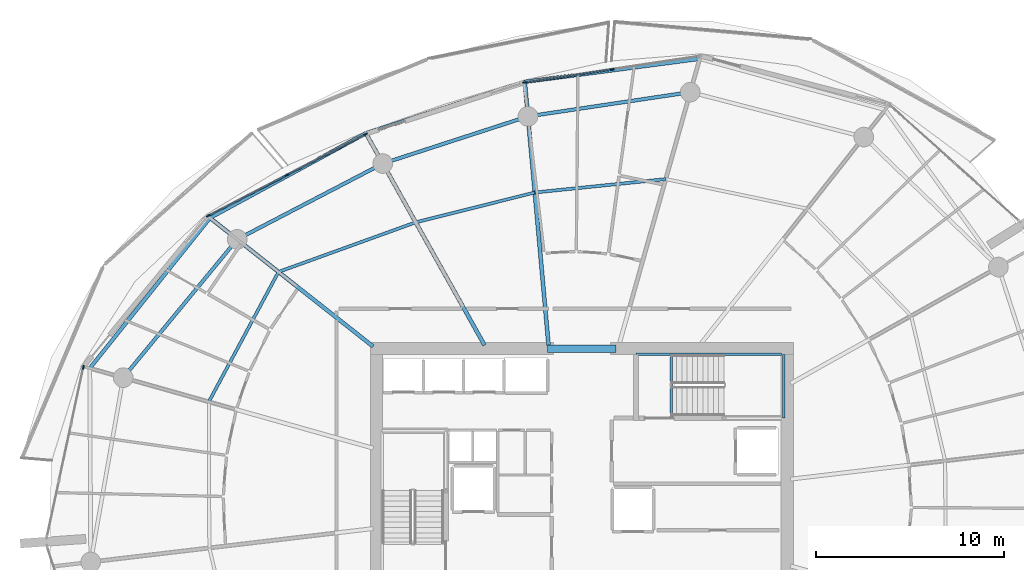
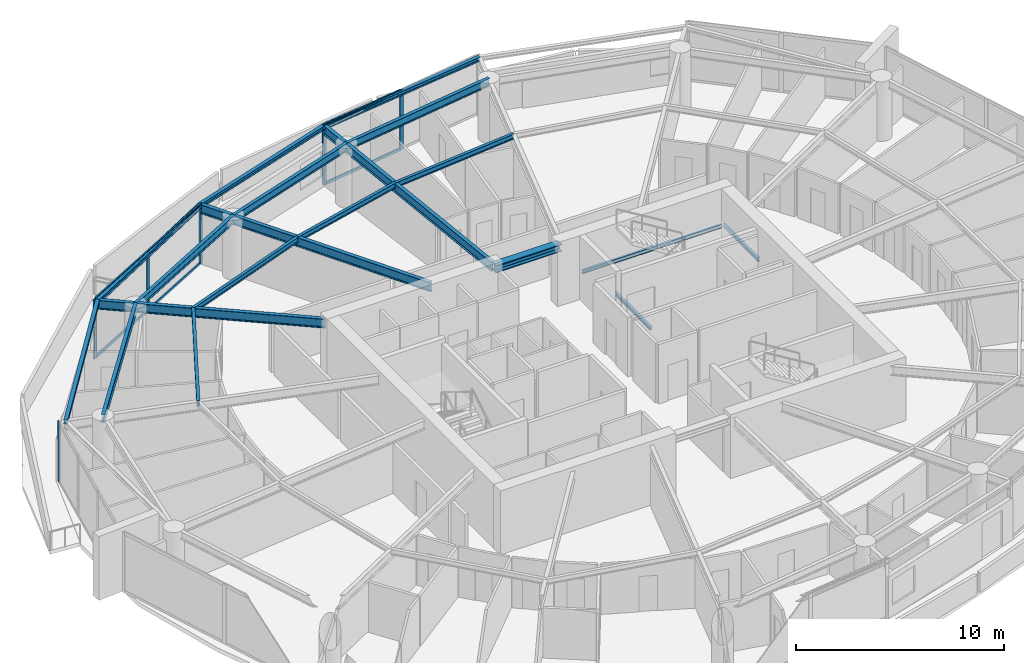
# One storey, part 8 of 21: 19 beams, 12 members, 3 elements without a shape of their own.
"""IFC4 building model written with IfcOpenShell, lengths in metres."""

from ifc_helpers import new_model, si_unit, direction, frame, origin, origin_2d, place, context, subcontext, project, spatial, rectangle, i_section, extrude, material, layer, layer_set, material_profile, profile_set, type_object, element, aggregate, save


model = new_model("IFC4")

# Units and contexts
model_context = context("Model", 3, precision=1e-05, world=origin(), true_north=direction((0.0, 1.0)))
body_context = subcontext(model_context, "Body", "Model", "MODEL_VIEW")
ifc_project = project(units=[si_unit("LENGTHUNIT", "METRE"), si_unit("AREAUNIT", "SQUARE_METRE"), si_unit("VOLUMEUNIT", "CUBIC_METRE"), si_unit("PLANEANGLEUNIT", "RADIAN"), si_unit("MASSUNIT", "GRAM", prefix="KILO")], contexts=[model_context])

# Site, building, storey
site_placement = place(None, origin())
site = spatial("IfcSite", under=ifc_project, at=site_placement, CompositionType="ELEMENT")
building_placement = place(site_placement, origin())
building = spatial("IfcBuilding", under=site, at=building_placement, Name="Kazma Halo Residences", CompositionType="ELEMENT")
storey_placement = place(building_placement, frame((0.0, 0.0, 180.300048828125)))
storey = spatial("IfcBuildingStorey", under=building, at=storey_placement, Name="L45", CompositionType="ELEMENT", Elevation=180.300048828125)

# Beams
ifc_material_1 = material(Name="Steel S355", Category="steel")
ifc_material_profile_1 = material_profile(ifc_material_1, i_section(OverallWidth=0.201904296875, OverallDepth=0.2470703125, WebThickness=0.00732421875, FlangeThickness=0.010986328125, FilletRadius=0.011962890625, at=origin_2d()), Name="W250x49.1")
ifc_profile_set_1 = profile_set([ifc_material_profile_1], Name="Steel S355")
beam_type_1 = type_object("IfcBeamType", Name="BM-BAL-CANT", PredefinedType="BEAM", material=ifc_profile_set_1)
beam_1_placement = place(storey_placement, frame((54.70458984375, 65.772216796875, 3.37646484375), z_axis=(-0.991401891123, -0.130852169558, 0.0), x_axis=(0.130852169558, -0.991401891123, 0.0)))
element("IfcBeam", 1, at=beam_1_placement, inside=storey, type_object=beam_type_1, Name="L45 wave-balcony tie beam 03", PredefinedType="BEAM", context=body_context, shape_type="SweptSolid", body=[
    extrude(i_section(OverallWidth=0.201904296875, OverallDepth=0.2470703125, WebThickness=0.00732421875, FlangeThickness=0.010986328125, FilletRadius=0.011962890625, at=origin_2d()), origin(), (0.0, 0.0, 1.0), 9.401611328125),
])
beam_2_placement = place(storey_placement, frame((45.3837890625, 64.5419921875, 3.37646484375), z_axis=(-0.951434599458, -0.307850942753, 0.0), x_axis=(0.307850942753, -0.951434599458, 0.0)))
element("IfcBeam", 2, at=beam_2_placement, inside=storey, type_object=beam_type_1, Name="L45 wave-balcony tie beam 04", PredefinedType="BEAM", context=body_context, shape_type="SweptSolid", body=[
    extrude(i_section(OverallWidth=0.201904296875, OverallDepth=0.2470703125, WebThickness=0.00732421875, FlangeThickness=0.010986328125, FilletRadius=0.011962890625, at=origin_2d()), origin(), (0.0, 0.0, 1.0), 8.905029296875),
])
beam_3_placement = place(storey_placement, frame((36.9111328125, 61.800537109375, 3.37646484375), z_axis=(-0.878890557257, -0.477023467309, 0.0), x_axis=(0.477023467309, -0.878890557257, 0.0)))
element("IfcBeam", 3, at=beam_3_placement, inside=storey, type_object=beam_type_1, Name="L45 wave-balcony tie beam 05", PredefinedType="BEAM", context=body_context, shape_type="SweptSolid", body=[
    extrude(i_section(OverallWidth=0.201904296875, OverallDepth=0.2470703125, WebThickness=0.00732421875, FlangeThickness=0.010986328125, FilletRadius=0.011962890625, at=origin_2d()), origin(), (0.0, 0.0, 1.0), 9.452880859375),
])
beam_4_placement = place(storey_placement, frame((28.60302734375, 57.291259765625, 3.37646484375), z_axis=(-0.624195724924, -0.781268005864, 0.0), x_axis=(0.781268005864, -0.624195724924, 0.0)))
element("IfcBeam", 4, at=beam_4_placement, inside=storey, type_object=beam_type_1, Name="L45 wave-balcony tie beam 06", PredefinedType="BEAM", context=body_context, shape_type="SweptSolid", body=[
    extrude(i_section(OverallWidth=0.201904296875, OverallDepth=0.2470703125, WebThickness=0.00732421875, FlangeThickness=0.010986328125, FilletRadius=0.011962890625, at=origin_2d()), origin(), (0.0, 0.0, 1.0), 10.258544921875),
])
ifc_material_profile_2 = material_profile(ifc_material_1, i_section(OverallWidth=0.408935546875, OverallDepth=0.425048828125, WebThickness=0.03271484375, FlangeThickness=0.052490234375, FilletRadius=0.02001953125, at=origin_2d()), Name="W360x421")
ifc_profile_set_2 = profile_set([ifc_material_profile_2], Name="Steel S355")
beam_type_2 = type_object("IfcBeamType", Name="BM-CORE-W360H", PredefinedType="BEAM", material=ifc_profile_set_2)
beam_5_placement = place(storey_placement, frame((46.60009765625, 50.324951171875, 3.287353515625), z_axis=(1.0, 0.0, 0.0), x_axis=(0.0, 1.0, 0.0)))
element("IfcBeam", 5, at=beam_5_placement, inside=storey, type_object=beam_type_2, Name="L45 core coupling beam N", PredefinedType="BEAM", context=body_context, shape_type="SweptSolid", body=[
    extrude(i_section(OverallWidth=0.408935546875, OverallDepth=0.425048828125, WebThickness=0.03271484375, FlangeThickness=0.052490234375, FilletRadius=0.02001953125, at=origin_2d()), origin(), (0.0, 0.0, 1.0), 3.64990234375),
])
ifc_material_profile_3 = material_profile(ifc_material_1, i_section(OverallWidth=0.208984375, OverallDepth=0.532958984375, WebThickness=0.01025390625, FlangeThickness=0.015625, FilletRadius=0.01611328125, at=origin_2d()), Name="W530x92")
ifc_profile_set_3 = profile_set([ifc_material_profile_3], Name="Steel S355")
beam_type_3 = type_object("IfcBeamType", Name="BM-RAD-W530", PredefinedType="BEAM", material=ifc_profile_set_3)
beam_6_placement = place(storey_placement, frame((46.64990234375, 50.5, 3.2333984375), z_axis=(-0.089801911205, 0.995959646142, 0.0), x_axis=(-0.995959646142, -0.089801911205, 0.0)))
element("IfcBeam", 6, at=beam_6_placement, inside=storey, type_object=beam_type_3, Name="L45 radial floor beam 04", PredefinedType="BEAM", context=body_context, shape_type="SweptSolid", body=[
    extrude(i_section(OverallWidth=0.208984375, OverallDepth=0.532958984375, WebThickness=0.01025390625, FlangeThickness=0.015625, FilletRadius=0.01611328125, at=origin_2d()), origin(), (0.0, 0.0, 1.0), 14.098876953125),
])
beam_7_placement = place(storey_placement, frame((43.23974609375, 50.5, 3.2333984375), z_axis=(-0.488621736368, 0.872495729931, 0.0), x_axis=(-0.872495729931, -0.488621736368, 0.0)))
element("IfcBeam", 7, at=beam_7_placement, inside=storey, type_object=beam_type_3, Name="L45 radial floor beam 05", PredefinedType="BEAM", context=body_context, shape_type="SweptSolid", body=[
    extrude(i_section(OverallWidth=0.208984375, OverallDepth=0.532958984375, WebThickness=0.01025390625, FlangeThickness=0.015625, FilletRadius=0.01611328125, at=origin_2d()), origin(), (0.0, 0.0, 1.0), 12.951904296875),
])
beam_8_placement = place(storey_placement, frame((37.300048828125, 50.435302734375, 3.2333984375), z_axis=(-0.785326671572, 0.619081593102, 0.0), x_axis=(-0.619081593102, -0.785326671572, 0.0)))
element("IfcBeam", 8, at=beam_8_placement, inside=storey, type_object=beam_type_3, Name="L45 radial floor beam 06", PredefinedType="BEAM", context=body_context, shape_type="SweptSolid", body=[
    extrude(i_section(OverallWidth=0.208984375, OverallDepth=0.532958984375, WebThickness=0.01025390625, FlangeThickness=0.015625, FilletRadius=0.01611328125, at=origin_2d()), origin(), (0.0, 0.0, 1.0), 11.074462890625),
])
ifc_material_profile_4 = material_profile(ifc_material_1, i_section(OverallWidth=0.1650390625, OverallDepth=0.31005859375, WebThickness=0.005859375, FlangeThickness=0.009765625, FilletRadius=0.011962890625, at=origin_2d()), Name="W310x38.7")
ifc_profile_set_4 = profile_set([ifc_material_profile_4], Name="Steel S355")
beam_type_4 = type_object("IfcBeamType", Name="BM-SEC-W310B", PredefinedType="JOIST", material=ifc_profile_set_4)
beam_9_placement = place(storey_placement, frame((52.8955078125, 59.35791015625, 3.344970703125), z_axis=(-0.994813898595, -0.101711883088, 0.0), x_axis=(0.101711883088, -0.994813898595, 0.0)))
element("IfcBeam", 9, at=beam_9_placement, inside=storey, type_object=beam_type_4, Name="L45 circumferential floor joist 03", PredefinedType="JOIST", context=body_context, shape_type="SweptSolid", body=[
    extrude(i_section(OverallWidth=0.1650390625, OverallDepth=0.31005859375, WebThickness=0.005859375, FlangeThickness=0.009765625, FilletRadius=0.011962890625, at=origin_2d()), origin(), (0.0, 0.0, 1.0), 7.01611328125),
])
beam_10_placement = place(storey_placement, frame((45.915771484375, 58.644287109375, 3.344970703125), z_axis=(-0.970019458253, -0.243027263102, 0.0), x_axis=(0.243027263102, -0.970019458253, 0.0)))
element("IfcBeam", 10, at=beam_10_placement, inside=storey, type_object=beam_type_4, Name="L45 circumferential floor joist 04", PredefinedType="JOIST", context=body_context, shape_type="SweptSolid", body=[
    extrude(i_section(OverallWidth=0.1650390625, OverallDepth=0.31005859375, WebThickness=0.005859375, FlangeThickness=0.009765625, FilletRadius=0.011962890625, at=origin_2d()), origin(), (0.0, 0.0, 1.0), 6.542724609375),
])
beam_11_placement = place(storey_placement, frame((39.569091796875, 57.05419921875, 3.344970703125), z_axis=(-0.940484507564, -0.339836565177, 0.0), x_axis=(0.339836565177, -0.940484507564, 0.0)))
element("IfcBeam", 11, at=beam_11_placement, inside=storey, type_object=beam_type_4, Name="L45 circumferential floor joist 05", PredefinedType="JOIST", context=body_context, shape_type="SweptSolid", body=[
    extrude(i_section(OverallWidth=0.1650390625, OverallDepth=0.31005859375, WebThickness=0.005859375, FlangeThickness=0.009765625, FilletRadius=0.011962890625, at=origin_2d()), origin(), (0.0, 0.0, 1.0), 7.776123046875),
])
beam_12_placement = place(storey_placement, frame((32.255859375, 54.41162109375, 3.344970703125), z_axis=(-0.472683532566, -0.881232249774, 0.0), x_axis=(0.881232249774, -0.472683532566, 0.0)))
element("IfcBeam", 12, at=beam_12_placement, inside=storey, type_object=beam_type_4, Name="L45 circumferential floor joist 06", PredefinedType="JOIST", context=body_context, shape_type="SweptSolid", body=[
    extrude(i_section(OverallWidth=0.1650390625, OverallDepth=0.31005859375, WebThickness=0.005859375, FlangeThickness=0.009765625, FilletRadius=0.011962890625, at=origin_2d()), origin(), (0.0, 0.0, 1.0), 7.85693359375),
])
ifc_material_profile_5 = material_profile(ifc_material_1, i_section(OverallWidth=0.18994140625, OverallDepth=0.45703125, WebThickness=0.009033203125, FlangeThickness=0.014404296875, FilletRadius=0.01611328125, at=origin_2d()), Name="W460x74")
ifc_profile_set_5 = profile_set([ifc_material_profile_5], Name="Steel S355")
beam_type_5 = type_object("IfcBeamType", Name="BM-SPN-W460", PredefinedType="BEAM", material=ifc_profile_set_5)
beam_13_placement = place(storey_placement, frame((54.202392578125, 63.99169921875, 3.271484375), z_axis=(-0.98903439143, -0.147685383732, 0.0), x_axis=(0.147685383732, -0.98903439143, 0.0)))
element("IfcBeam", 13, at=beam_13_placement, inside=storey, type_object=beam_type_5, Name="L45 perimeter ring beam 03", PredefinedType="BEAM", context=body_context, shape_type="SweptSolid", body=[
    extrude(i_section(OverallWidth=0.18994140625, OverallDepth=0.45703125, WebThickness=0.009033203125, FlangeThickness=0.014404296875, FilletRadius=0.01611328125, at=origin_2d()), origin(), (0.0, 0.0, 1.0), 8.748291015625),
])
beam_14_placement = place(storey_placement, frame((45.550048828125, 62.69970703125, 3.271484375), z_axis=(-0.951048627281, -0.30904127321, 0.0), x_axis=(0.30904127321, -0.951048627281, 0.0)))
element("IfcBeam", 14, at=beam_14_placement, inside=storey, type_object=beam_type_5, Name="L45 perimeter ring beam 04", PredefinedType="BEAM", context=body_context, shape_type="SweptSolid", body=[
    extrude(i_section(OverallWidth=0.18994140625, OverallDepth=0.45703125, WebThickness=0.009033203125, FlangeThickness=0.014404296875, FilletRadius=0.01611328125, at=origin_2d()), origin(), (0.0, 0.0, 1.0), 8.133056640625),
])
beam_15_placement = place(storey_placement, frame((37.815185546875, 60.186279296875, 3.271484375), z_axis=(-0.886961243394, -0.461843861838, 0.0), x_axis=(0.461843861838, -0.886961243394, 0.0)))
element("IfcBeam", 15, at=beam_15_placement, inside=storey, type_object=beam_type_5, Name="L45 perimeter ring beam 05", PredefinedType="BEAM", context=body_context, shape_type="SweptSolid", body=[
    extrude(i_section(OverallWidth=0.18994140625, OverallDepth=0.45703125, WebThickness=0.009033203125, FlangeThickness=0.014404296875, FilletRadius=0.01611328125, at=origin_2d()), origin(), (0.0, 0.0, 1.0), 8.748046875),
])
beam_16_placement = place(storey_placement, frame((30.055908203125, 56.14599609375, 3.271484375), z_axis=(-0.63601715545, -0.771674917289, 0.0), x_axis=(0.771674917289, -0.63601715545, 0.0)))
element("IfcBeam", 16, at=beam_16_placement, inside=storey, type_object=beam_type_5, Name="L45 perimeter ring beam 06", PredefinedType="BEAM", context=body_context, shape_type="SweptSolid", body=[
    extrude(i_section(OverallWidth=0.18994140625, OverallDepth=0.45703125, WebThickness=0.009033203125, FlangeThickness=0.014404296875, FilletRadius=0.01611328125, at=origin_2d()), origin(), (0.0, 0.0, 1.0), 9.552734375),
])
ifc_material_profile_6 = material_profile(ifc_material_1, i_section(OverallWidth=0.133056640625, OverallDepth=0.20703125, WebThickness=0.005859375, FlangeThickness=0.00830078125, FilletRadius=0.010009765625, at=origin_2d()), Name="W200x26.6")
ifc_profile_set_6 = profile_set([ifc_material_profile_6], Name="Steel S355")
beam_type_6 = type_object("IfcBeamType", Name="BM-TRIM-W200", PredefinedType="BEAM", material=ifc_profile_set_6)
beam_17_placement = place(storey_placement, frame((53.199951171875, 46.6201171875, -0.360107421875), z_axis=(0.0, 1.0, 0.0), x_axis=(-1.0, 0.0, 0.0)))
element("IfcBeam", 17, at=beam_17_placement, inside=storey, type_object=beam_type_6, Name="L45 ST-02 floor landing support beam", PredefinedType="BEAM", context=body_context, shape_type="SweptSolid", body=[
    extrude(i_section(OverallWidth=0.133056640625, OverallDepth=0.20703125, WebThickness=0.005859375, FlangeThickness=0.00830078125, FilletRadius=0.010009765625, at=origin_2d()), origin(), (0.0, 0.0, 1.0), 3.3798828125),
])
beam_18_placement = place(storey_placement, frame((51.31005859375, 50.02001953125, 1.570068359375), z_axis=(1.0, 0.0, 0.0), x_axis=(0.0, 1.0, 0.0)))
element("IfcBeam", 18, at=beam_18_placement, inside=storey, type_object=beam_type_6, Name="L45 ST-02 landing north wall ledger", PredefinedType="BEAM", context=body_context, shape_type="SweptSolid", body=[
    extrude(i_section(OverallWidth=0.133056640625, OverallDepth=0.20703125, WebThickness=0.005859375, FlangeThickness=0.00830078125, FilletRadius=0.010009765625, at=origin_2d()), origin(), (0.0, 0.0, 1.0), 7.760009765625),
])
beam_19_placement = place(storey_placement, frame((59.18994140625, 46.6201171875, 1.570068359375), z_axis=(0.0, 1.0, 0.0), x_axis=(-1.0, 0.0, 0.0)))
element("IfcBeam", 19, at=beam_19_placement, inside=storey, type_object=beam_type_6, Name="L45 ST-02 landing end wall ledger", PredefinedType="BEAM", context=body_context, shape_type="SweptSolid", body=[
    extrude(i_section(OverallWidth=0.133056640625, OverallDepth=0.20703125, WebThickness=0.005859375, FlangeThickness=0.00830078125, FilletRadius=0.010009765625, at=origin_2d()), origin(), (0.0, 0.0, 1.0), 3.39990234375),
])

# Curtain wall, members
ifc_material_2 = material(Name="Aluminium AW-6063 T6 and Triple-Silver Low-E Glass", Category="aluminium")
ifc_layer = layer(ifc_material_2, 0.219970703125)
ifc_layer_set = layer_set([ifc_layer], Name="Aluminium AW-6063 T6 and Triple-Silver Low-E Glass")
curtain_wall_type = type_object("IfcCurtainWallType", Name="CW-SYS-4", PredefinedType="NOTDEFINED", material=ifc_layer_set)
curtain_wall_1_placement = place(storey_placement, origin())
curtain_wall_1 = element("IfcCurtainWall", 20, at=curtain_wall_1_placement, inside=storey, type_object=curtain_wall_type, Name="L45 unitised curtain wall B03", PredefinedType="NOTDEFINED")
ifc_material_3 = material(Name="Aluminium AW-6063 T6", Category="aluminium")
ifc_material_profile_7 = material_profile(ifc_material_3, rectangle(XDim=0.074951171875, YDim=0.219970703125, at=origin_2d()), Name="CWM-75x220")
ifc_profile_set_7 = profile_set([ifc_material_profile_7], Name="Aluminium AW-6063 T6")
member_type_1 = type_object("IfcMemberType", Name="CW-SYS-4-MUL", PredefinedType="MULLION", material=ifc_profile_set_7)
member_1_placement = place(storey_placement, frame((50.041259765625, 65.211181640625, 0.0), z_axis=(0.0, 0.0, 1.0), x_axis=(0.148772639188, -0.988871428361, 0.0)))
member_1 = element("IfcMember", 21, at=member_1_placement, type_object=member_type_1, Name="CWS-4 mullion 2", PredefinedType="MULLION", context=body_context, shape_type="SweptSolid", body=[
    extrude(rectangle(XDim=0.074951171875, YDim=0.219970703125, at=origin_2d()), origin(), (0.0, 0.0, 1.0), 3.5),
])
member_2_placement = place(storey_placement, frame((45.373779296875, 64.509033203125, 0.0), z_axis=(0.0, 0.0, 1.0), x_axis=(0.148772639188, -0.988871428361, 0.0)))
member_2 = element("IfcMember", 22, at=member_2_placement, type_object=member_type_1, Name="CWS-4 mullion 3", PredefinedType="MULLION", context=body_context, shape_type="SweptSolid", body=[
    extrude(rectangle(XDim=0.074951171875, YDim=0.219970703125, at=origin_2d()), origin(), (0.0, 0.0, 1.0), 3.5),
])

curtain_wall_2_placement = place(storey_placement, origin())
curtain_wall_2 = element("IfcCurtainWall", 23, at=curtain_wall_2_placement, inside=storey, type_object=curtain_wall_type, Name="L45 unitised curtain wall B05", PredefinedType="NOTDEFINED")
member_3_placement = place(storey_placement, frame((36.894287109375, 61.75390625, 0.0), z_axis=(0.0, 0.0, 1.0), x_axis=(0.460873851097, -0.887465657575, 0.0)))
member_3 = element("IfcMember", 24, at=member_3_placement, type_object=member_type_1, Name="CWS-4 mullion 1", PredefinedType="MULLION", context=body_context, shape_type="SweptSolid", body=[
    extrude(rectangle(XDim=0.074951171875, YDim=0.219970703125, at=origin_2d()), origin(), (0.0, 0.0, 1.0), 3.5),
])
member_4_placement = place(storey_placement, frame((32.705322265625, 59.578369140625, 0.0), z_axis=(0.0, 0.0, 1.0), x_axis=(0.460873851097, -0.887465657575, 0.0)))
member_4 = element("IfcMember", 25, at=member_4_placement, type_object=member_type_1, Name="CWS-4 mullion 2", PredefinedType="MULLION", context=body_context, shape_type="SweptSolid", body=[
    extrude(rectangle(XDim=0.074951171875, YDim=0.219970703125, at=origin_2d()), origin(), (0.0, 0.0, 1.0), 3.5),
])
member_5_placement = place(storey_placement, frame((28.5166015625, 57.403076171875, 0.0), z_axis=(0.0, 0.0, 1.0), x_axis=(0.460873851097, -0.887465657575, 0.0)))
member_5 = element("IfcMember", 26, at=member_5_placement, type_object=member_type_1, Name="CWS-4 mullion 3", PredefinedType="MULLION", context=body_context, shape_type="SweptSolid", body=[
    extrude(rectangle(XDim=0.074951171875, YDim=0.219970703125, at=origin_2d()), origin(), (0.0, 0.0, 1.0), 3.5),
])

# Curtain wall, member
curtain_wall_3_placement = place(storey_placement, origin())
curtain_wall_3 = element("IfcCurtainWall", 27, at=curtain_wall_3_placement, inside=storey, type_object=curtain_wall_type, Name="L45 unitised curtain wall B07", PredefinedType="NOTDEFINED")
member_6_placement = place(storey_placement, frame((21.8564453125, 49.334228515625, 0.0), z_axis=(0.0, 0.0, 1.0), x_axis=(0.977768017212, -0.209689543175, 0.0)))
member_6 = element("IfcMember", 28, at=member_6_placement, type_object=member_type_1, Name="CWS-4 mullion 1", PredefinedType="MULLION", context=body_context, shape_type="SweptSolid", body=[
    extrude(rectangle(XDim=0.074951171875, YDim=0.219970703125, at=origin_2d()), origin(), (0.0, 0.0, 1.0), 3.5),
])
aggregate(curtain_wall_3, [member_6])

# Member
ifc_material_profile_8 = material_profile(ifc_material_3, rectangle(XDim=0.074951171875, YDim=0.1650390625, at=origin_2d()), Name="CWT-75x165")
ifc_profile_set_8 = profile_set([ifc_material_profile_8], Name="Aluminium AW-6063 T6")
member_type_2 = type_object("IfcMemberType", Name="CW-SYS-4-TRN", PredefinedType="USERDEFINED", material=ifc_profile_set_8)
member_7_placement = place(storey_placement, frame((50.004150390625, 65.20556640625, 0.037353515625), z_axis=(-0.988876518566, -0.148738801357, 0.0), x_axis=(0.148738801357, -0.988876518566, 0.0)))
member_7 = element("IfcMember", 29, at=member_7_placement, type_object=member_type_2, Name="CWS-4 transom 2.1", ObjectType="TRANSOM", PredefinedType="USERDEFINED", context=body_context, shape_type="SweptSolid", body=[
    extrude(rectangle(XDim=0.074951171875, YDim=0.1650390625, at=origin_2d()), origin(), (0.0, 0.0, 1.0), 4.645263671875),
])

member_8_placement = place(storey_placement, frame((50.004150390625, 65.20556640625, 3.46240234375), z_axis=(-0.988876518566, -0.148738801357, 0.0), x_axis=(0.148738801357, -0.988876518566, 0.0)))
member_8 = element("IfcMember", 30, at=member_8_placement, type_object=member_type_2, Name="CWS-4 transom 2.2", ObjectType="TRANSOM", PredefinedType="USERDEFINED", context=body_context, shape_type="SweptSolid", body=[
    extrude(rectangle(XDim=0.074951171875, YDim=0.1650390625, at=origin_2d()), origin(), (0.0, 0.0, 1.0), 4.645263671875),
])

aggregate(curtain_wall_1, [member_1, member_2, member_7, member_8])

member_9_placement = place(storey_placement, frame((36.861083984375, 61.736572265625, 0.037353515625), z_axis=(-0.887457630519, -0.460889307789, 0.0), x_axis=(0.460889307789, -0.887457630519, 0.0)))
member_9 = element("IfcMember", 31, at=member_9_placement, type_object=member_type_2, Name="CWS-4 transom 1.1", ObjectType="TRANSOM", PredefinedType="USERDEFINED", context=body_context, shape_type="SweptSolid", body=[
    extrude(rectangle(XDim=0.074951171875, YDim=0.1650390625, at=origin_2d()), origin(), (0.0, 0.0, 1.0), 4.64501953125),
])

member_10_placement = place(storey_placement, frame((36.861083984375, 61.736572265625, 3.46240234375), z_axis=(-0.887457630519, -0.460889307789, 0.0), x_axis=(0.460889307789, -0.887457630519, 0.0)))
member_10 = element("IfcMember", 32, at=member_10_placement, type_object=member_type_2, Name="CWS-4 transom 1.2", ObjectType="TRANSOM", PredefinedType="USERDEFINED", context=body_context, shape_type="SweptSolid", body=[
    extrude(rectangle(XDim=0.074951171875, YDim=0.1650390625, at=origin_2d()), origin(), (0.0, 0.0, 1.0), 4.64501953125),
])

member_11_placement = place(storey_placement, frame((32.672119140625, 59.561279296875, 0.037353515625), z_axis=(-0.887457630519, -0.460889307789, 0.0), x_axis=(0.460889307789, -0.887457630519, 0.0)))
member_11 = element("IfcMember", 33, at=member_11_placement, type_object=member_type_2, Name="CWS-4 transom 2.1", ObjectType="TRANSOM", PredefinedType="USERDEFINED", context=body_context, shape_type="SweptSolid", body=[
    extrude(rectangle(XDim=0.074951171875, YDim=0.1650390625, at=origin_2d()), origin(), (0.0, 0.0, 1.0), 4.64501953125),
])

member_12_placement = place(storey_placement, frame((32.672119140625, 59.561279296875, 3.46240234375), z_axis=(-0.887457630519, -0.460889307789, 0.0), x_axis=(0.460889307789, -0.887457630519, 0.0)))
member_12 = element("IfcMember", 34, at=member_12_placement, type_object=member_type_2, Name="CWS-4 transom 2.2", ObjectType="TRANSOM", PredefinedType="USERDEFINED", context=body_context, shape_type="SweptSolid", body=[
    extrude(rectangle(XDim=0.074951171875, YDim=0.1650390625, at=origin_2d()), origin(), (0.0, 0.0, 1.0), 4.64501953125),
])

aggregate(curtain_wall_2, [member_3, member_4, member_5, member_9, member_10, member_11, member_12])

save(model, "model.ifc")
